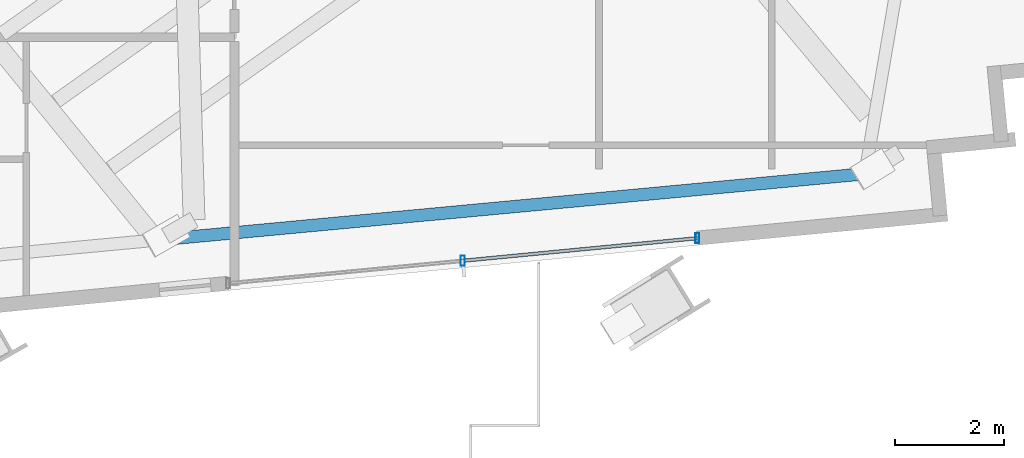
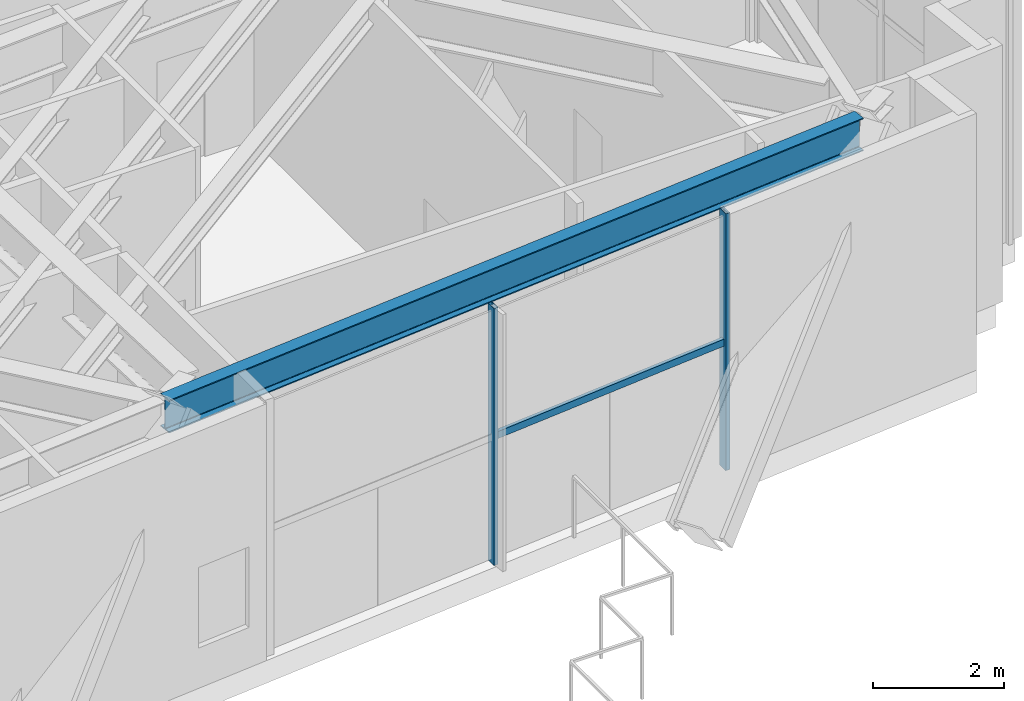
# One storey, part 11 of 28: 3 members, 1 beam, 1 element without a shape of its own.
"""IFC4 building model written with IfcOpenShell, lengths in metres."""

import ifcopenshell
import ifcopenshell.guid

model = None  # the IFC model being written
_history = None  # IfcOwnerHistory: only IFC2X3 demands one
_inside = {}  # id of a spatial element -> (the spatial element, [elements in it])
_under = {}  # id of a project, library or spatial element -> (it, [spatial elements below it])
_declared = {}  # id of a project -> (the project, [libraries it declares])
_typed = {}  # id of a type object -> (the type object, [elements of that type])
_made_of = {}  # id of a material, layer set ... -> (it, [elements and type objects made of it])


def new_model(schema):
    """Start an empty IFC model of exactly this schema.

    Asked for "IFC4X3", IfcOpenShell would pick the latest addendum, in which some entities
    have other attributes; the version numbers below select the first issue.
    IFC2X3 requires an IfcOwnerHistory on every rooted entity: one is made here for all.
    """
    global model, _history
    if schema == "IFC4X3":
        model = ifcopenshell.file(schema_version=(4, 3, 0, 0))
    else:
        model = ifcopenshell.file(schema=schema)
    _inside.clear()
    _under.clear()
    _declared.clear()
    _typed.clear()
    _made_of.clear()
    _history = None
    if model.schema == "IFC2X3":
        org = make("IfcOrganization", Name="unknown")
        user = make(
            "IfcPersonAndOrganization",
            ThePerson=make("IfcPerson", FamilyName="unknown"),
            TheOrganization=org,
        )
        app = make(
            "IfcApplication",
            ApplicationDeveloper=org,
            Version="unknown",
            ApplicationFullName="unknown",
            ApplicationIdentifier="unknown",
        )
        _history = make(
            "IfcOwnerHistory",
            OwningUser=user,
            OwningApplication=app,
            ChangeAction="ADDED",
            CreationDate=0,
        )
    return model


def make(cls, **values):
    """One entity of the class cls with the attributes given. An attribute that is None is left unset."""
    return model.create_entity(
        cls, **{name: value for name, value in values.items() if value is not None}
    )


def rooted(cls, **values):
    """An entity with a GlobalId (a new one), such as an element, a storey or a relation."""
    return make(cls, GlobalId=ifcopenshell.guid.new(), OwnerHistory=_history, **values)


def si_unit(unit_type, name, prefix=None):
    """IfcSIUnit, for example si_unit("LENGTHUNIT", "METRE", prefix="MILLI")."""
    return make("IfcSIUnit", UnitType=unit_type, Prefix=prefix, Name=name)


def assignment(units):
    """IfcUnitAssignment: the units of a project."""
    return None if units is None else make("IfcUnitAssignment", Units=units)


def point(xyz):
    """IfcCartesianPoint."""
    return None if xyz is None else make("IfcCartesianPoint", Coordinates=xyz)


def direction(xyz):
    """IfcDirection."""
    return None if xyz is None else make("IfcDirection", DirectionRatios=xyz)


def frame(location, z_axis=None, x_axis=None):
    """IfcAxis2Placement3D, a coordinate frame: its origin and axes. An axis left out is left unset."""
    return make(
        "IfcAxis2Placement3D",
        Location=point(location),
        Axis=direction(z_axis),
        RefDirection=direction(x_axis),
    )


def frame_2d(location, x_axis=None):
    """IfcAxis2Placement2D, a coordinate frame in the plane: its origin and x axis."""
    return make(
        "IfcAxis2Placement2D", Location=point(location), RefDirection=direction(x_axis)
    )


def origin():
    """The frame at (0, 0, 0) with its axes left unset."""
    return frame((0.0, 0.0, 0.0))


def origin_2d():
    """The frame at (0, 0) in the plane with its x axis left unset."""
    return frame_2d((0.0, 0.0))


def place(relative_to, where):
    """IfcLocalPlacement: puts the frame where relative to a parent placement (None: the world)."""
    return make(
        "IfcLocalPlacement", PlacementRelTo=relative_to, RelativePlacement=where
    )


def context(
    kind, dimensions, precision=None, world=None, true_north=None, identifier=None
):
    """IfcGeometricRepresentationContext, for example the 3D "Model" context."""
    return make(
        "IfcGeometricRepresentationContext",
        ContextIdentifier=identifier,
        ContextType=kind,
        CoordinateSpaceDimension=dimensions,
        Precision=precision,
        WorldCoordinateSystem=world,
        TrueNorth=true_north,
    )


def subcontext(parent, identifier, kind, view, scale=None):
    """IfcGeometricRepresentationSubContext, for example "Body" below "Model"."""
    return make(
        "IfcGeometricRepresentationSubContext",
        ContextIdentifier=identifier,
        ContextType=kind,
        ParentContext=parent,
        TargetScale=scale,
        TargetView=view,
    )


def project(units=None, contexts=None):
    """IfcProject with its units and contexts."""
    return rooted(
        "IfcProject",
        Name="project",
        RepresentationContexts=contexts,
        UnitsInContext=assignment(units),
    )


def spatial(cls, under=None, at=None, **own):
    """A site, building, storey or space (cls), placed at a placement, below another one or the project."""
    s = rooted(cls, ObjectPlacement=at, **own)
    if under is not None:
        _under.setdefault(under.id(), (under, []))[1].append(s)
    return s


def profile(cls, at=None, kind="AREA", **sizes):
    """A parametric profile (cls). Its sizes go by their IFC names, for example OverallWidth=200.0."""
    return make(cls, ProfileType=kind, Position=at, **sizes)


def hollow_rectangle(**sizes):
    """IfcRectangleHollowProfileDef."""
    return profile("IfcRectangleHollowProfileDef", **sizes)


def i_section(**sizes):
    """IfcIShapeProfileDef."""
    return profile("IfcIShapeProfileDef", **sizes)


def extrude(swept, where, along, depth):
    """IfcExtrudedAreaSolid: the profile swept, set in the frame where, extruded along a direction by depth."""
    return make(
        "IfcExtrudedAreaSolid",
        SweptArea=swept,
        Position=where,
        ExtrudedDirection=direction(along),
        Depth=depth,
    )


def shape(context_of_items, identifier, shape_type, items):
    """IfcShapeRepresentation: the items that make up one representation, for example the "Body"."""
    return make(
        "IfcShapeRepresentation",
        ContextOfItems=context_of_items,
        RepresentationIdentifier=identifier,
        RepresentationType=shape_type,
        Items=items,
    )


def source(mapping_origin, context_of_items, identifier, shape_type, items):
    """IfcRepresentationMap: a shape defined once, which mapped items show again and again."""
    return make(
        "IfcRepresentationMap",
        MappingOrigin=mapping_origin,
        MappedRepresentation=shape(context_of_items, identifier, shape_type, items),
    )


def transform(
    local_origin,
    x_axis=None,
    y_axis=None,
    z_axis=None,
    scale=None,
    scale2=None,
    scale3=None,
    uniform=True,
):
    """IfcCartesianTransformationOperator3D, or its non-uniform kind. x_axis, y_axis, z_axis: its Axis1, 2, 3."""
    if uniform:
        return make(
            "IfcCartesianTransformationOperator3D",
            Axis1=direction(x_axis),
            Axis2=direction(y_axis),
            LocalOrigin=point(local_origin),
            Scale=scale,
            Axis3=direction(z_axis),
        )
    return make(
        "IfcCartesianTransformationOperator3DnonUniform",
        Axis1=direction(x_axis),
        Axis2=direction(y_axis),
        LocalOrigin=point(local_origin),
        Scale=scale,
        Axis3=direction(z_axis),
        Scale2=scale2,
        Scale3=scale3,
    )


def mapped(mapping_source, mapping_target):
    """IfcMappedItem: shows the shape of a source again, moved by a transform."""
    return make(
        "IfcMappedItem", MappingSource=mapping_source, MappingTarget=mapping_target
    )


def material(Name=None, Category=None):
    """IfcMaterial."""
    return make("IfcMaterial", Name=Name, Category=Category)


def material_profile(
    of_material, cross_section, Name=None, Category=None, Priority=None
):
    """IfcMaterialProfile: a cross section and its material."""
    return make(
        "IfcMaterialProfile",
        Name=Name,
        Material=of_material,
        Profile=cross_section,
        Priority=Priority,
        Category=Category,
    )


def profile_set(profiles, Name=None, composite=None):
    """IfcMaterialProfileSet."""
    return make(
        "IfcMaterialProfileSet",
        Name=Name,
        MaterialProfiles=profiles,
        CompositeProfile=composite,
    )


def made_of(thing, what):
    """Note that an element or type object is made of a material, layer set ...; save() writes the relation."""
    if what is not None:
        _made_of.setdefault(what.id(), (what, []))[1].append(thing)
    return thing


def type_object(cls, material=None, **own):
    """A type object (cls), such as IfcWallType, which elements share."""
    return made_of(rooted(cls, **own), material)


def type_shapes(of_type, sources):
    """Give a type object the sources (RepresentationMaps) that its elements show as mapped items."""
    of_type.RepresentationMaps = sources


def element(
    cls,
    number,
    at=None,
    inside=None,
    cuts=None,
    type_object=None,
    material=None,
    context=None,
    identifier="Body",
    shape_type=None,
    held_by="IfcProductDefinitionShape",
    body=None,
    shapes=None,
    **own,
):
    """One element of the class cls, such as IfcWall. Its Tag is "e" and its number.

    at: its placement. inside: the storey or other place that contains it. cuts: it is an
    opening in that element (IfcRelVoidsElement). A single representation is given by context,
    identifier, shape_type and body (its items); several are given by shapes. held_by: the class
    of the entity that holds the representations. save() writes the other relations.
    """
    e = rooted(cls, Tag="e%d" % number, ObjectPlacement=at, **own)
    if body is not None:
        shapes = [shape(context, identifier, shape_type, body)]
    if shapes is not None:
        e.Representation = make(held_by, Representations=shapes)
    if inside is not None:
        _inside.setdefault(inside.id(), (inside, []))[1].append(e)
    if cuts is not None:
        rooted(
            "IfcRelVoidsElement", RelatingBuildingElement=cuts, RelatedOpeningElement=e
        )
    if type_object is not None:
        _typed.setdefault(type_object.id(), (type_object, []))[1].append(e)
    return made_of(e, material)


def aggregate(whole, parts):
    """IfcRelAggregates: a whole, such as a stair, and the parts it consists of."""
    return rooted("IfcRelAggregates", RelatingObject=whole, RelatedObjects=parts)


def save(model, path):
    """Write the relations noted so far, then the file.

    IfcRelAggregates (storeys below a building ...), IfcRelContainedInSpatialStructure (elements
    in a storey), IfcRelDefinesByType, IfcRelAssociatesMaterial and IfcRelDeclares: one each for
    every whole, place, type object, material and project.
    """
    for whole, parts in _under.values():
        aggregate(whole, parts)
    for where, things in _inside.values():
        rooted(
            "IfcRelContainedInSpatialStructure",
            RelatedElements=things,
            RelatingStructure=where,
        )
    for kind, things in _typed.values():
        rooted("IfcRelDefinesByType", RelatedObjects=things, RelatingType=kind)
    for what, things in _made_of.values():
        rooted("IfcRelAssociatesMaterial", RelatedObjects=things, RelatingMaterial=what)
    for by, libraries in _declared.values():
        rooted("IfcRelDeclares", RelatingContext=by, RelatedDefinitions=libraries)
    model.write(path)


model = new_model("IFC4")

# Units and contexts
model_context = context("Model", 3, precision=1e-05, world=origin(), true_north=direction((0.0, 1.0)))
body_context = subcontext(model_context, "Body", "Model", "MODEL_VIEW")
ifc_project = project(units=[si_unit("LENGTHUNIT", "METRE"), si_unit("AREAUNIT", "SQUARE_METRE"), si_unit("VOLUMEUNIT", "CUBIC_METRE"), si_unit("PLANEANGLEUNIT", "RADIAN"), si_unit("MASSUNIT", "GRAM", prefix="KILO")], contexts=[model_context])

# Site, building, storey
site_placement = place(None, origin())
site = spatial("IfcSite", under=ifc_project, at=site_placement, CompositionType="ELEMENT")
building_placement = place(site_placement, origin())
building = spatial("IfcBuilding", under=site, at=building_placement, Name="Astriad Promenade Condominiums", CompositionType="ELEMENT")
storey_placement = place(building_placement, frame((0.0, 0.0, 72.60009765625)))
storey = spatial("IfcBuildingStorey", under=building, at=storey_placement, Name="L20", CompositionType="ELEMENT", Elevation=72.60009765625)

# Beam
ifc_material_1 = material(Name="Steel ASTM A992 Grade 50", Category="steel")
ifc_material_profile_1 = material_profile(ifc_material_1, i_section(OverallWidth=0.22900390625, OverallDepth=0.612060546875, WebThickness=0.011962890625, FlangeThickness=0.01953125, FilletRadius=0.017822265625, at=origin_2d()), Name="W24X84")
ifc_profile_set_1 = profile_set([ifc_material_profile_1], Name="Steel ASTM A992 Grade 50")
beam_type = type_object("IfcBeamType", Name="STEEL SPANDREL BEAM W24X84", PredefinedType="SPANDREL", material=ifc_profile_set_1)
shared_shape_1 = source(origin(), body_context, "Body", "SweptSolid", [
    extrude(i_section(OverallWidth=0.22900390625, OverallDepth=0.612060546875, WebThickness=0.011962890625, FlangeThickness=0.01953125, FilletRadius=0.017822265625, at=origin_2d()), origin(), (0.0, 0.0, 1.0), 12.9736328125),
])
type_shapes(beam_type, [shared_shape_1])
beam_placement = place(storey_placement, frame((52.849853515625, 8.623046875, 4.473876953125), z_axis=(0.995655568628, 0.093112773887, 0.0), x_axis=(-0.093112773887, 0.995655568628, 0.0)))
element("IfcBeam", 1, at=beam_placement, inside=storey, type_object=beam_type, Name="Perimeter Spandrel Beam SP-S4-L20", PredefinedType="SPANDREL", context=body_context, shape_type="MappedRepresentation", body=[
    mapped(shared_shape_1, transform((0.0, 0.0, 0.0), scale=1.0)),
])

# Curtain wall, members
ifc_material_2 = material(Name="Anodised aluminium Black Dark Glass Unitised", Category="aluminium")
curtain_wall_type = type_object("IfcCurtainWallType", Name="CW-B2-DARK", PredefinedType="USERDEFINED", material=ifc_material_2)
curtain_wall_placement = place(storey_placement, origin())
curtain_wall = element("IfcCurtainWall", 2, at=curtain_wall_placement, inside=storey, type_object=curtain_wall_type, Name="CW-L20-S-1", ObjectType="UNITISED_CURTAIN_WALL", PredefinedType="USERDEFINED")
ifc_material_3 = material(Name="Anodised aluminium 6063-T6 Black", Category="aluminium")
ifc_material_profile_2 = material_profile(ifc_material_3, hollow_rectangle(XDim=0.074951171875, YDim=0.18505859375, WallThickness=0.00439453125, at=origin_2d()), Name="ALU-MUL-75X185")
ifc_profile_set_2 = profile_set([ifc_material_profile_2], Name="Anodised aluminium 6063-T6 Black")
member_type_1 = type_object("IfcMemberType", Name="MUL-ALU-MUL-75X185", PredefinedType="MULLION", material=ifc_profile_set_2)
shared_shape_2 = source(origin(), body_context, "Body", "SweptSolid", [
    extrude(hollow_rectangle(XDim=0.074951171875, YDim=0.18505859375, WallThickness=0.00439453125, at=origin_2d()), origin(), (0.0, 0.0, 1.0), 4.77978515625),
])
type_shapes(member_type_1, [shared_shape_2])
member_1_placement = place(storey_placement, frame((62.7216796875, 8.649169921875, 0.0), z_axis=(0.0, 0.0, 1.0), x_axis=(1.0, 0.0, 0.0)))
member_1 = element("IfcMember", 3, at=member_1_placement, type_object=member_type_1, Name="CW-L20-S-1-MUL-00", PredefinedType="MULLION", context=body_context, shape_type="MappedRepresentation", body=[
    mapped(shared_shape_2, transform((0.0, 0.0, 0.0), scale=1.0)),
])
member_2_placement = place(storey_placement, frame((58.401611328125, 8.233154296875, 0.0), z_axis=(0.0, 0.0, 1.0), x_axis=(1.0, 0.0, 0.0)))
member_2 = element("IfcMember", 4, at=member_2_placement, type_object=member_type_1, Name="CW-L20-S-1-MUL-01", PredefinedType="MULLION", context=body_context, shape_type="MappedRepresentation", body=[
    mapped(shared_shape_2, transform((0.0, 0.0, 0.0), scale=1.0)),
])
ifc_material_profile_3 = material_profile(ifc_material_3, hollow_rectangle(XDim=0.06494140625, YDim=0.1298828125, WallThickness=0.00390625, at=origin_2d()), Name="ALU-TRN-65X130")
ifc_profile_set_3 = profile_set([ifc_material_profile_3], Name="Anodised aluminium 6063-T6 Black")
member_type_2 = type_object("IfcMemberType", Name="TRN-ALU-TRN-65X130", PredefinedType="USERDEFINED", material=ifc_profile_set_3)
shared_shape_3 = source(origin(), body_context, "Body", "SweptSolid", [
    extrude(hollow_rectangle(XDim=0.06494140625, YDim=0.1298828125, WallThickness=0.00390625, at=origin_2d()), origin(), (0.0, 0.0, 1.0), 4.340087890625),
])
type_shapes(member_type_2, [shared_shape_3])
member_3_placement = place(storey_placement, frame((62.7216796875, 8.649169921875, 2.349853515625), z_axis=(-0.995395311238, -0.095854965264, 0.0), x_axis=(0.095854965264, -0.995395311238, 0.0)))
member_3 = element("IfcMember", 5, at=member_3_placement, type_object=member_type_2, Name="CW-L20-S-1-TRN-00-0", ObjectType="TRANSOM", PredefinedType="USERDEFINED", context=body_context, shape_type="MappedRepresentation", body=[
    mapped(shared_shape_3, transform((0.0, 0.0, 0.0), scale=1.0)),
])
aggregate(curtain_wall, [member_1, member_2, member_3])

save(model, "model.ifc")
